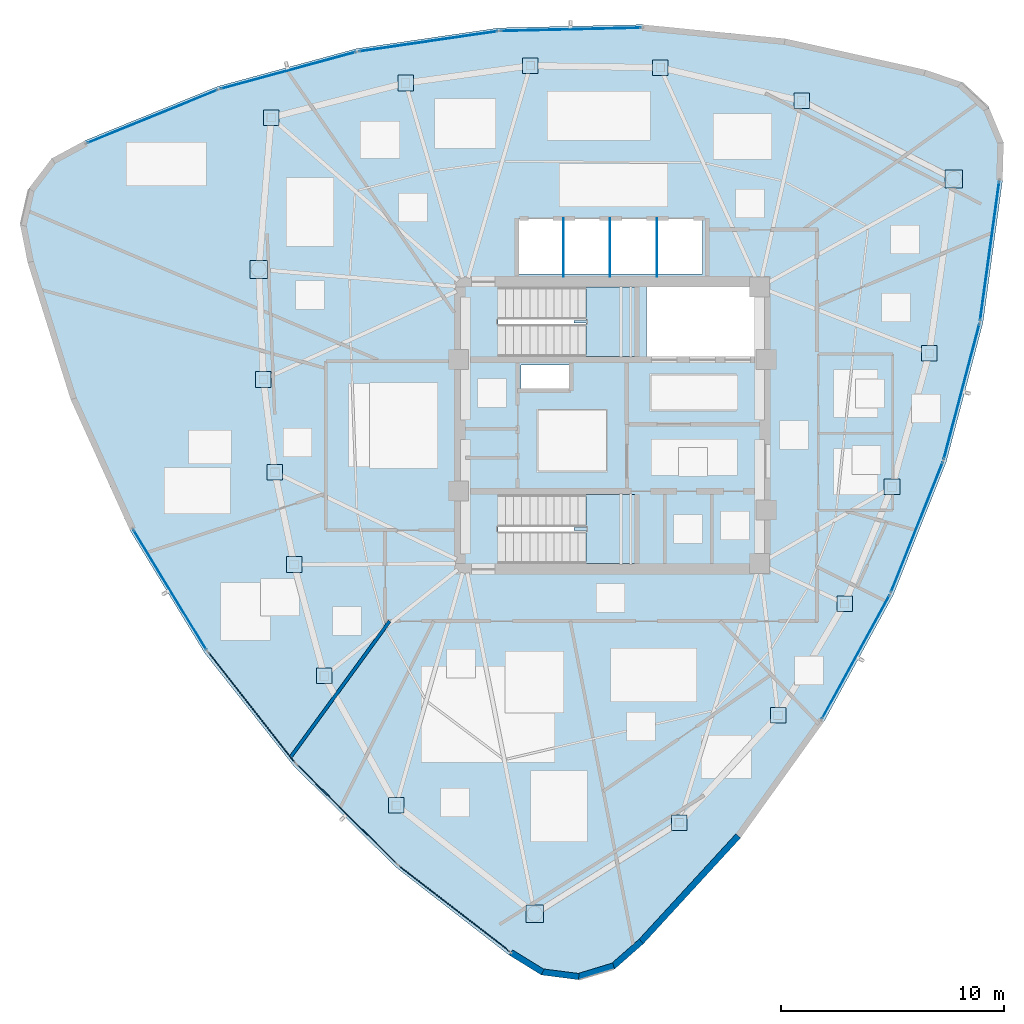
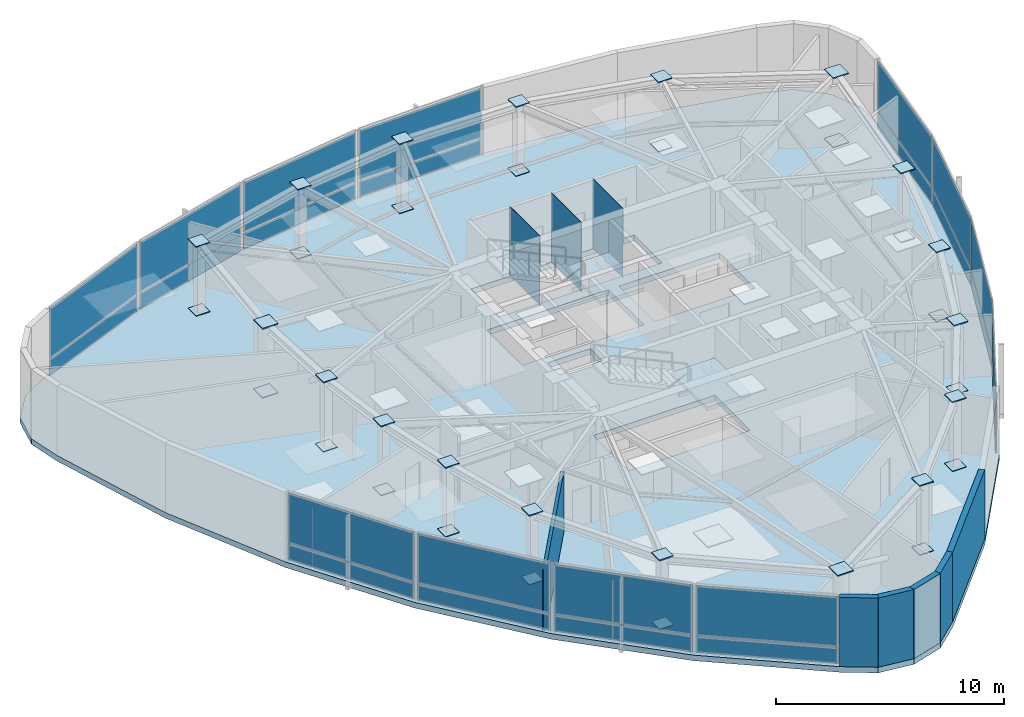
# One storey, part 7 of 12: 63 plates, 6 walls, 3 slabs, 14 elements without a shape of their own.
"""IFC4 building model written with IfcOpenShell, lengths in metres."""

from ifc_helpers import new_model, si_unit, direction, frame, frame_2d, origin, origin_2d, place, context, subcontext, project, spatial, polyline, rectangle, outline, extrude, source, transform, mapped, material, layer, layer_set, type_object, type_shapes, element, aggregate, save


model = new_model("IFC4")

# Units and contexts
model_context = context("Model", 3, precision=1e-05, world=origin(), true_north=direction((0.0, 1.0)))
body_context = subcontext(model_context, "Body", "Model", "MODEL_VIEW")
ifc_project = project(units=[si_unit("LENGTHUNIT", "METRE"), si_unit("AREAUNIT", "SQUARE_METRE"), si_unit("VOLUMEUNIT", "CUBIC_METRE"), si_unit("PLANEANGLEUNIT", "RADIAN"), si_unit("MASSUNIT", "GRAM", prefix="KILO")], contexts=[model_context])

# Site, building, storey
site_placement = place(None, origin())
site = spatial("IfcSite", under=ifc_project, at=site_placement, CompositionType="ELEMENT")
building_placement = place(site_placement, origin())
building = spatial("IfcBuilding", under=site, at=building_placement, Name="Tavelor Broadcast Tower", CompositionType="ELEMENT")
storey_placement = place(building_placement, frame((0.0, 0.0, 317.5)))
storey = spatial("IfcBuildingStorey", under=building, at=storey_placement, Name="L76", CompositionType="ELEMENT", Elevation=317.5)

# Stair, slab
ifc_material_1 = material(Name="Concrete C40/50", Category="concrete")
stair_type = type_object("IfcStairType", Name="Reinforced Concrete Protected Dogleg Stair 1450 mm", PredefinedType="HALF_TURN_STAIR", material=ifc_material_1)
stair_1_placement = place(storey_placement, origin())
stair_1 = element("IfcStair", 1, at=stair_1_placement, inside=storey, type_object=stair_type, Name="L76 Protected Core Exit Stair ST1", PredefinedType="HALF_TURN_STAIR")
ifc_layer_1 = layer(ifc_material_1, 0.199951171875)
ifc_layer_set_1 = layer_set([ifc_layer_1], Name="Concrete C40/50")
slab_type_1 = type_object("IfcSlabType", Name="Reinforced Concrete Stair Half-Landing Slab 200 mm", PredefinedType="LANDING", material=ifc_layer_set_1)
slab_1_placement = place(storey_placement, frame((0.0, 0.0, 1.800048828125)))
slab_1 = element("IfcSlab", 2, at=slab_1_placement, type_object=slab_type_1, Name="ST1 landing 1", PredefinedType="LANDING", context=body_context, shape_type="SweptSolid", body=[
    extrude(outline(polyline([(48.804931640625, 49.590087890625), (48.804931640625, 48.094970703125), (51.0048828125, 48.094970703125), (51.0048828125, 51.205078125), (48.804931640625, 51.205078125), (48.804931640625, 49.7099609375), (48.264892578125, 49.7099609375), (48.264892578125, 49.590087890625), (48.804931640625, 49.590087890625)])), origin(), (0.0, 0.0, 1.0), 0.199951171875),
])
aggregate(stair_1, [slab_1])

stair_2_placement = place(storey_placement, origin())
stair_2 = element("IfcStair", 3, at=stair_2_placement, inside=storey, type_object=stair_type, Name="L76 Protected Core Exit Stair ST2", PredefinedType="HALF_TURN_STAIR")
slab_2_placement = place(storey_placement, frame((0.0, 0.0, 1.800048828125)))
slab_2 = element("IfcSlab", 4, at=slab_2_placement, type_object=slab_type_1, Name="ST2 landing 1", PredefinedType="LANDING", context=body_context, shape_type="SweptSolid", body=[
    extrude(outline(polyline([(48.804931640625, 40.2900390625), (48.804931640625, 38.794921875), (51.0048828125, 38.794921875), (51.0048828125, 41.905029296875), (48.804931640625, 41.905029296875), (48.804931640625, 40.409912109375), (48.264892578125, 40.409912109375), (48.264892578125, 40.2900390625), (48.804931640625, 40.2900390625)])), origin(), (0.0, 0.0, 1.0), 0.199951171875),
])
aggregate(stair_2, [slab_2])

# Slab
ifc_layer_2 = layer(ifc_material_1, 0.300048828125)
ifc_layer_set_2 = layer_set([ifc_layer_2], Name="Concrete C40/50")
slab_type_2 = type_object("IfcSlabType", Name="Tower Composite Floor Slab 300 mm", PredefinedType="FLOOR", material=ifc_layer_set_2)
slab_3_placement = place(storey_placement, frame((0.0, 0.0, -0.300048828125)))
element("IfcSlab", 5, at=slab_3_placement, inside=storey, type_object=slab_type_2, Name="L76 Structural Floor Slab", PredefinedType="FLOOR", context=body_context, shape_type="SweptSolid", body=[
    extrude(outline(polyline([(26.33349609375, 57.778076171875), (24.843017578125, 56.9736328125), (23.815673828125, 55.62744140625), (23.43310546875, 53.9775390625), (23.763671875, 52.31640625), (25.69384765625, 46.165771484375), (28.354248046875, 40.2939453125), (31.705810546875, 34.787109375), (35.698974609375, 29.7265625), (40.275146484375, 25.186279296875), (45.3671875, 21.23291015625), (46.808837890625, 20.34423828125), (48.488525390625, 20.127685546875), (50.108642578125, 20.621337890625), (51.382080078125, 21.738037109375), (55.743408203125, 26.485107421875), (59.498291015625, 31.72509765625), (62.591796875, 37.380859375), (64.977783203125, 43.369384765625), (66.62158203125, 49.6025390625), (67.499267578125, 55.989013671875), (67.548095703125, 57.681884765625), (66.895751953125, 59.2451171875), (65.658203125, 60.401123046875), (64.054443359375, 60.945556640625), (57.7626953125, 62.34912109375), (51.347412109375, 62.981201171875), (44.902587890625, 62.83203125), (38.523193359375, 61.904296875), (32.30322265625, 60.211181640625), (26.33349609375, 57.778076171875)]), holes=[polyline([(50.99609375, 41.89599609375), (50.99609375, 38.803955078125), (44.85400390625, 38.803955078125), (44.85400390625, 41.89599609375), (50.99609375, 41.89599609375)]), polyline([(48.050048828125, 47.699951171875), (48.050048828125, 46.64990234375), (45.89990234375, 46.64990234375), (45.89990234375, 47.699951171875), (48.050048828125, 47.699951171875)]), polyline([(50.99609375, 51.196044921875), (50.99609375, 48.10400390625), (44.85400390625, 48.10400390625), (44.85400390625, 51.196044921875), (50.99609375, 51.196044921875)]), polyline([(56.60009765625, 48.10009765625), (51.52001953125, 48.10009765625), (51.52001953125, 51.199951171875), (56.60009765625, 51.199951171875), (56.60009765625, 48.10009765625)]), polyline([(54.050048828125, 51.800048828125), (45.800048828125, 51.800048828125), (45.800048828125, 54.25), (54.050048828125, 54.25), (54.050048828125, 51.800048828125)])]), origin(), (0.0, 0.0, 1.0), 0.300048828125),
])

# Plates
ifc_material_2 = material(Name="Steel S460", Category="steel")
ifc_layer_3 = layer(ifc_material_2, 0.050048828125)
ifc_layer_set_3 = layer_set([ifc_layer_3], Name="Steel S460")
plate_type_1 = type_object("IfcPlateType", Name="Tube Hollow-End Cap Plate KN05 700x700x50", PredefinedType="USERDEFINED", material=ifc_layer_set_3)
shared_shape_1 = source(origin(), body_context, "Body", "SweptSolid", [
    extrude(rectangle(XDim=0.699951171875, YDim=0.699951171875, at=origin_2d()), origin(), (0.0, 0.0, 1.0), 0.054931640625),
])
for number, where, z_axis, x_axis, name in (
    (6, (34.341552734375, 47.061279296875, -0.02734375), (0.0, 0.0, 1.0), (1.0, 0.0, 0.0), "L76 Hollow End Cap Plate KN05 #2319"),
    (7, (34.341552734375, 47.061279296875, 3.67236328125), (0.0, 0.0, 1.0), (1.0, 0.0, 0.0), "L76 Hollow End Cap Plate KN05 #2320"),
    (8, (34.85400390625, 42.90185546875, -0.02734375), (0.0, 0.0, 1.0), (1.0, 0.0, 0.0), "L76 Hollow End Cap Plate KN05 #2321"),
    (9, (34.85400390625, 42.90185546875, 3.67236328125), (0.0, 0.0, 1.0), (1.0, 0.0, 0.0), "L76 Hollow End Cap Plate KN05 #2322"),
    (10, (35.716552734375, 38.757080078125, -0.02734375), (0.0, 0.0, 1.0), (1.0, 0.0, 0.0), "L76 Hollow End Cap Plate KN05 #2323"),
    (11, (35.716552734375, 38.757080078125, 3.67236328125), (0.0, 0.0, 1.0), (1.0, 0.0, 0.0), "L76 Hollow End Cap Plate KN05 #2324"),
    (12, (37.068115234375, 33.759521484375, -0.02734375), (0.0, 0.0, 1.0), (1.0, 0.0, 0.0), "L76 Hollow End Cap Plate KN05 #2325"),
    (13, (37.068115234375, 33.759521484375, 3.67236328125), (0.0, 0.0, 1.0), (1.0, 0.0, 0.0), "L76 Hollow End Cap Plate KN05 #2326"),
    (14, (40.29638671875, 27.95361328125, -0.02734375), (0.0, 0.0, 1.0), (1.0, 0.0, 0.0), "L76 Hollow End Cap Plate KN05 #2327"),
    (15, (40.29638671875, 27.95361328125, 3.67236328125), (0.0, 0.0, 1.0), (1.0, 0.0, 0.0), "L76 Hollow End Cap Plate KN05 #2328"),
    (16, (52.992919921875, 27.1767578125, -0.02734375), (0.0, 0.0, 1.0), (1.0, 0.0, 0.0), "L76 Hollow End Cap Plate KN05 #2331"),
    (17, (52.992919921875, 27.1767578125, 3.67236328125), (0.0, 0.0, 1.0), (1.0, 0.0, 0.0), "L76 Hollow End Cap Plate KN05 #2332"),
    (18, (57.431396484375, 31.9921875, -0.02734375), (0.0, 0.0, 1.0), (1.0, 0.0, 0.0), "L76 Hollow End Cap Plate KN05 #2333"),
    (19, (57.431396484375, 31.9921875, 3.67236328125), (0.0, 0.0, 1.0), (1.0, 0.0, 0.0), "L76 Hollow End Cap Plate KN05 #2334"),
    (20, (60.41748046875, 37.00439453125, -0.02734375), (0.0, 0.0, 1.0), (1.0, 0.0, 0.0), "L76 Hollow End Cap Plate KN05 #2335"),
    (21, (60.41748046875, 37.00439453125, 3.67236328125), (0.0, 0.0, 1.0), (1.0, 0.0, 0.0), "L76 Hollow End Cap Plate KN05 #2336"),
    (22, (62.543701171875, 42.240478515625, -0.02734375), (0.0, 0.0, 1.0), (1.0, 0.0, 0.0), "L76 Hollow End Cap Plate KN05 #2337"),
    (23, (62.543701171875, 42.240478515625, 3.67236328125), (0.0, 0.0, 1.0), (1.0, 0.0, 0.0), "L76 Hollow End Cap Plate KN05 #2338"),
    (24, (64.21435546875, 48.2373046875, -0.02734375), (0.0, 0.0, 1.0), (1.0, 0.0, 0.0), "L76 Hollow End Cap Plate KN05 #2339"),
    (25, (64.21435546875, 48.2373046875, 3.67236328125), (0.0, 0.0, 1.0), (1.0, 0.0, 0.0), "L76 Hollow End Cap Plate KN05 #2340"),
    (26, (58.485595703125, 59.55712890625, -0.02734375), (0.0, 0.0, 1.0), (1.0, 0.0, 0.0), "L76 Hollow End Cap Plate KN05 #2343"),
    (27, (58.485595703125, 59.55712890625, 3.67236328125), (0.0, 0.0, 1.0), (1.0, 0.0, 0.0), "L76 Hollow End Cap Plate KN05 #2344"),
    (28, (52.147216796875, 61.05078125, -0.02734375), (0.0, 0.0, 1.0), (1.0, 0.0, 0.0), "L76 Hollow End Cap Plate KN05 #2345"),
    (29, (52.147216796875, 61.05078125, 3.67236328125), (0.0, 0.0, 1.0), (1.0, 0.0, 0.0), "L76 Hollow End Cap Plate KN05 #2346"),
    (30, (46.3154296875, 61.13720703125, -0.02734375), (0.0, 0.0, 1.0), (1.0, 0.0, 0.0), "L76 Hollow End Cap Plate KN05 #2347"),
    (31, (46.3154296875, 61.13720703125, 3.67236328125), (0.0, 0.0, 1.0), (1.0, 0.0, 0.0), "L76 Hollow End Cap Plate KN05 #2348"),
    (32, (40.718017578125, 60.36083984375, -0.02734375), (0.0, 0.0, 1.0), (1.0, 0.0, 0.0), "L76 Hollow End Cap Plate KN05 #2349"),
    (33, (40.718017578125, 60.36083984375, 3.67236328125), (0.0, 0.0, 1.0), (1.0, 0.0, 0.0), "L76 Hollow End Cap Plate KN05 #2350"),
    (34, (34.689208984375, 58.80908203125, -0.02734375), (0.0, 0.0, 1.0), (1.0, 0.0, 0.0), "L76 Hollow End Cap Plate KN05 #2351"),
    (35, (34.689208984375, 58.80908203125, 3.67236328125), (0.0, 0.0, 1.0), (1.0, 0.0, 0.0), "L76 Hollow End Cap Plate KN05 #2352"),
):
    element("IfcPlate", number, at=place(storey_placement, frame(where, z_axis=z_axis, x_axis=x_axis)), inside=storey, type_object=plate_type_1, Name=name, ObjectType="CAP PLATE", PredefinedType="USERDEFINED", context=body_context, shape_type="MappedRepresentation", body=[
        mapped(shared_shape_1, transform((0.0, 0.0, 0.0), scale=1.0)),
    ])
shared_shape_2 = source(origin(), body_context, "Body", "SweptSolid", [
    extrude(rectangle(XDim=0.791015625, YDim=0.791015625, at=origin_2d()), origin(), (0.0, 0.0, 1.0), 0.054931640625),
])
type_shapes(plate_type_1, [shared_shape_1, shared_shape_2])
for number, where, z_axis, x_axis, name in (
    (36, (34.134765625, 51.995849609375, -0.02734375), (0.0, 0.0, 1.0), (1.0, 0.0, 0.0), "L76 Hollow End Cap Plate KN05 #2317"),
    (37, (34.134765625, 51.995849609375, 3.67236328125), (0.0, 0.0, 1.0), (1.0, 0.0, 0.0), "L76 Hollow End Cap Plate KN05 #2318"),
    (38, (46.5146484375, 23.08740234375, -0.02734375), (0.0, 0.0, 1.0), (1.0, 0.0, 0.0), "L76 Hollow End Cap Plate KN05 #2329"),
    (39, (46.5146484375, 23.08740234375, 3.67236328125), (0.0, 0.0, 1.0), (1.0, 0.0, 0.0), "L76 Hollow End Cap Plate KN05 #2330"),
    (40, (65.319580078125, 56.0556640625, -0.02734375), (0.0, 0.0, 1.0), (1.0, 0.0, 0.0), "L76 Hollow End Cap Plate KN05 #2341"),
    (41, (65.319580078125, 56.0556640625, 3.67236328125), (0.0, 0.0, 1.0), (1.0, 0.0, 0.0), "L76 Hollow End Cap Plate KN05 #2342"),
):
    element("IfcPlate", number, at=place(storey_placement, frame(where, z_axis=z_axis, x_axis=x_axis)), inside=storey, type_object=plate_type_1, Name=name, ObjectType="CAP PLATE", PredefinedType="USERDEFINED", context=body_context, shape_type="MappedRepresentation", body=[
        mapped(shared_shape_2, transform((0.0, 0.0, 0.0), scale=1.0)),
    ])
ifc_material_3 = material(Name="Steel S355", Category="steel")
ifc_layer_4 = layer(ifc_material_3, 0.011962890625)
ifc_layer_set_4 = layer_set([ifc_layer_4], Name="Steel S355")
plate_type_2 = type_object("IfcPlateType", Name="Hoistway Steel Separator Screen 12 mm", PredefinedType="SHEET", material=ifc_layer_set_4)
shared_shape_3 = source(origin(), body_context, "Body", "SweptSolid", [
    extrude(rectangle(XDim=0.02001953125, YDim=2.6201171875, at=origin_2d()), origin(), (0.0, 0.0, 1.0), 3.699951171875),
])
type_shapes(plate_type_2, [shared_shape_3])
for number, where, z_axis, x_axis, name in (
    (42, (47.800048828125, 52.989990234375, 0.0), (0.0, 0.0, 1.0), (1.0, 0.0, 0.0), "L76 High-Rise Hoistway Separator Screen 1"),
    (43, (49.89990234375, 52.989990234375, 0.0), (0.0, 0.0, 1.0), (1.0, 0.0, 0.0), "L76 High-Rise Hoistway Separator Screen 2"),
    (44, (52.0, 52.989990234375, 0.0), (0.0, 0.0, 1.0), (1.0, 0.0, 0.0), "L76 High-Rise Hoistway Separator Screen 3"),
):
    element("IfcPlate", number, at=place(storey_placement, frame(where, z_axis=z_axis, x_axis=x_axis)), inside=storey, type_object=plate_type_2, Name=name, PredefinedType="SHEET", context=body_context, shape_type="MappedRepresentation", body=[
        mapped(shared_shape_3, transform((0.0, 0.0, 0.0), scale=1.0)),
    ])

# Curtain wall, plate
ifc_material_4 = material(Name="Architectural Anodized Aluminium", Category="aluminium")
ifc_layer_5 = layer(ifc_material_4, 0.199951171875)
ifc_layer_set_5 = layer_set([ifc_layer_5], Name="Architectural Anodized Aluminium")
curtain_wall_type = type_object("IfcCurtainWallType", Name="Tower High-Zone Triple-Glazed Curtain Wall CW04", PredefinedType="NOTDEFINED", material=ifc_layer_set_5)
curtain_wall_1_placement = place(storey_placement, origin())
curtain_wall_1 = element("IfcCurtainWall", 45, at=curtain_wall_1_placement, inside=storey, type_object=curtain_wall_type, Name="L76 Curtain Wall CW04 Run 841", PredefinedType="NOTDEFINED")
ifc_material_5 = material(Name="High-Altitude Triple Glazing 36 mm", Category="glass")
ifc_layer_6 = layer(ifc_material_5, 0.035888671875)
ifc_layer_set_6 = layer_set([ifc_layer_6], Name="High-Altitude Triple Glazing 36 mm")
plate_type_3 = type_object("IfcPlateType", Name="CW04 Insulated Vision Glazing Panel 36 mm", PredefinedType="CURTAIN_PANEL", material=ifc_layer_set_6)
shared_shape_4 = source(origin(), body_context, "Body", "SweptSolid", [
    extrude(rectangle(XDim=6.2744140625, YDim=0.035888671875, at=origin_2d()), origin(), (0.0, 0.0, 1.0), 0.844970703125),
])
plate_1_placement = place(storey_placement, frame((30.145751953125, 37.619873046875, 0.06982421875), z_axis=(0.0, 0.0, 1.0), x_axis=(0.519891553315, -0.854232270985, 0.0)))
plate_1 = element("IfcPlate", 46, at=plate_1_placement, type_object=plate_type_3, Name="CW04 panel 1.1", PredefinedType="CURTAIN_PANEL", context=body_context, shape_type="MappedRepresentation", body=[
    mapped(shared_shape_4, transform((0.0, 0.0, 0.0), scale=1.0)),
])

curtain_wall_2_placement = place(storey_placement, origin())
curtain_wall_2 = element("IfcCurtainWall", 47, at=curtain_wall_2_placement, inside=storey, type_object=curtain_wall_type, Name="L76 Curtain Wall CW04 Run 845", PredefinedType="NOTDEFINED")
plate_2_placement = place(storey_placement, frame((60.918701171875, 34.613525390625, 0.06982421875), z_axis=(0.0, 0.0, 1.0), x_axis=(0.47983596806, 0.877358218606, 0.0)))
plate_2 = element("IfcPlate", 48, at=plate_2_placement, type_object=plate_type_3, Name="CW04 panel 1.1", PredefinedType="CURTAIN_PANEL", context=body_context, shape_type="MappedRepresentation", body=[
    mapped(shared_shape_4, transform((0.0, 0.0, 0.0), scale=1.0)),
])

curtain_wall_3_placement = place(storey_placement, origin())
curtain_wall_3 = element("IfcCurtainWall", 49, at=curtain_wall_3_placement, inside=storey, type_object=curtain_wall_type, Name="L76 Curtain Wall CW04 Run 849", PredefinedType="NOTDEFINED")
plate_3_placement = place(storey_placement, frame((48.1357421875, 62.766845703125, 0.06982421875), z_axis=(0.0, 0.0, 1.0), x_axis=(-0.999732701634, -0.023119802829, 0.0)))
plate_3 = element("IfcPlate", 50, at=plate_3_placement, type_object=plate_type_3, Name="CW04 panel 1.1", PredefinedType="CURTAIN_PANEL", context=body_context, shape_type="MappedRepresentation", body=[
    mapped(shared_shape_4, transform((0.0, 0.0, 0.0), scale=1.0)),
])

# Plate
shared_shape_5 = source(origin(), body_context, "Body", "SweptSolid", [
    extrude(rectangle(XDim=6.2744140625, YDim=0.035888671875, at=origin_2d()), origin(), (0.0, 0.0, 1.0), 2.64501953125),
])
plate_4_placement = place(storey_placement, frame((30.145751953125, 37.619873046875, 0.985107421875), z_axis=(0.0, 0.0, 1.0), x_axis=(0.519891553315, -0.854232270985, 0.0)))
plate_4 = element("IfcPlate", 51, at=plate_4_placement, type_object=plate_type_3, Name="CW04 panel 1.2", PredefinedType="CURTAIN_PANEL", context=body_context, shape_type="MappedRepresentation", body=[
    mapped(shared_shape_5, transform((0.0, 0.0, 0.0), scale=1.0)),
])

aggregate(curtain_wall_1, [plate_1, plate_4])

plate_5_placement = place(storey_placement, frame((60.918701171875, 34.613525390625, 0.985107421875), z_axis=(0.0, 0.0, 1.0), x_axis=(0.47983596806, 0.877358218606, 0.0)))
plate_5 = element("IfcPlate", 52, at=plate_5_placement, type_object=plate_type_3, Name="CW04 panel 1.2", PredefinedType="CURTAIN_PANEL", context=body_context, shape_type="MappedRepresentation", body=[
    mapped(shared_shape_5, transform((0.0, 0.0, 0.0), scale=1.0)),
])

aggregate(curtain_wall_2, [plate_2, plate_5])

plate_6_placement = place(storey_placement, frame((48.1357421875, 62.766845703125, 0.985107421875), z_axis=(0.0, 0.0, 1.0), x_axis=(-0.999732701634, -0.023119802829, 0.0)))
plate_6 = element("IfcPlate", 53, at=plate_6_placement, type_object=plate_type_3, Name="CW04 panel 1.2", PredefinedType="CURTAIN_PANEL", context=body_context, shape_type="MappedRepresentation", body=[
    mapped(shared_shape_5, transform((0.0, 0.0, 0.0), scale=1.0)),
])

aggregate(curtain_wall_3, [plate_3, plate_6])

# Curtain wall, plate
curtain_wall_4_placement = place(storey_placement, origin())
curtain_wall_4 = element("IfcCurtainWall", 54, at=curtain_wall_4_placement, inside=storey, type_object=curtain_wall_type, Name="L76 Curtain Wall CW04 Run 842", PredefinedType="NOTDEFINED")
shared_shape_6 = source(origin(), body_context, "Body", "SweptSolid", [
    extrude(rectangle(XDim=6.25927734375, YDim=0.035888671875, at=origin_2d()), origin(), (0.0, 0.0, 1.0), 0.844970703125),
])
plate_7_placement = place(storey_placement, frame((33.812255859375, 32.343505859375, 0.06982421875), z_axis=(0.0, 0.0, 1.0), x_axis=(0.619436535063, -0.785046736844, 0.0)))
plate_7 = element("IfcPlate", 55, at=plate_7_placement, type_object=plate_type_3, Name="CW04 panel 1.1", PredefinedType="CURTAIN_PANEL", context=body_context, shape_type="MappedRepresentation", body=[
    mapped(shared_shape_6, transform((0.0, 0.0, 0.0), scale=1.0)),
])

curtain_wall_5_placement = place(storey_placement, origin())
curtain_wall_5 = element("IfcCurtainWall", 56, at=curtain_wall_5_placement, inside=storey, type_object=curtain_wall_type, Name="L76 Curtain Wall CW04 Run 843", PredefinedType="NOTDEFINED")
plate_8_placement = place(storey_placement, frame((38.085693359375, 27.5556640625, 0.06982421875), z_axis=(0.0, 0.0, 1.0), x_axis=(0.709882835955, -0.704319784769, 0.0)))
plate_8 = element("IfcPlate", 57, at=plate_8_placement, type_object=plate_type_3, Name="CW04 panel 1.1", PredefinedType="CURTAIN_PANEL", context=body_context, shape_type="MappedRepresentation", body=[
    mapped(shared_shape_6, transform((0.0, 0.0, 0.0), scale=1.0)),
])

curtain_wall_6_placement = place(storey_placement, origin())
curtain_wall_6 = element("IfcCurtainWall", 58, at=curtain_wall_6_placement, inside=storey, type_object=curtain_wall_type, Name="L76 Curtain Wall CW04 Run 846", PredefinedType="NOTDEFINED")
plate_9_placement = place(storey_placement, frame((63.654541015625, 40.427001953125, 0.06982421875), z_axis=(0.0, 0.0, 1.0), x_axis=(0.370148295351, 0.928972679603, 0.0)))
plate_9 = element("IfcPlate", 59, at=plate_9_placement, type_object=plate_type_3, Name="CW04 panel 1.1", PredefinedType="CURTAIN_PANEL", context=body_context, shape_type="MappedRepresentation", body=[
    mapped(shared_shape_6, transform((0.0, 0.0, 0.0), scale=1.0)),
])

# Plate
shared_shape_7 = source(origin(), body_context, "Body", "SweptSolid", [
    extrude(rectangle(XDim=6.25927734375, YDim=0.035888671875, at=origin_2d()), origin(), (0.0, 0.0, 1.0), 2.64501953125),
])
plate_10_placement = place(storey_placement, frame((33.812255859375, 32.343505859375, 0.985107421875), z_axis=(0.0, 0.0, 1.0), x_axis=(0.619436535063, -0.785046736844, 0.0)))
plate_10 = element("IfcPlate", 60, at=plate_10_placement, type_object=plate_type_3, Name="CW04 panel 1.2", PredefinedType="CURTAIN_PANEL", context=body_context, shape_type="MappedRepresentation", body=[
    mapped(shared_shape_7, transform((0.0, 0.0, 0.0), scale=1.0)),
])

aggregate(curtain_wall_4, [plate_7, plate_10])

plate_11_placement = place(storey_placement, frame((38.085693359375, 27.5556640625, 0.985107421875), z_axis=(0.0, 0.0, 1.0), x_axis=(0.709882835955, -0.704319784769, 0.0)))
plate_11 = element("IfcPlate", 61, at=plate_11_placement, type_object=plate_type_3, Name="CW04 panel 1.2", PredefinedType="CURTAIN_PANEL", context=body_context, shape_type="MappedRepresentation", body=[
    mapped(shared_shape_7, transform((0.0, 0.0, 0.0), scale=1.0)),
])

aggregate(curtain_wall_5, [plate_8, plate_11])

plate_12_placement = place(storey_placement, frame((63.654541015625, 40.427001953125, 0.985107421875), z_axis=(0.0, 0.0, 1.0), x_axis=(0.370148295351, 0.928972679603, 0.0)))
plate_12 = element("IfcPlate", 62, at=plate_12_placement, type_object=plate_type_3, Name="CW04 panel 1.2", PredefinedType="CURTAIN_PANEL", context=body_context, shape_type="MappedRepresentation", body=[
    mapped(shared_shape_7, transform((0.0, 0.0, 0.0), scale=1.0)),
])

aggregate(curtain_wall_6, [plate_9, plate_12])

# Curtain wall, plate
curtain_wall_7_placement = place(storey_placement, origin())
curtain_wall_7 = element("IfcCurtainWall", 63, at=curtain_wall_7_placement, inside=storey, type_object=curtain_wall_type, Name="L76 Curtain Wall CW04 Run 844", PredefinedType="NOTDEFINED")
shared_shape_8 = source(origin(), body_context, "Body", "SweptSolid", [
    extrude(rectangle(XDim=6.275390625, YDim=0.035888671875, at=origin_2d()), origin(), (0.0, 0.0, 1.0), 0.844970703125),
])
plate_13_placement = place(storey_placement, frame((42.913330078125, 23.315185546875, 0.06982421875), z_axis=(0.0, 0.0, 1.0), x_axis=(0.789900813816, -0.613234624213, 0.0)))
plate_13 = element("IfcPlate", 64, at=plate_13_placement, type_object=plate_type_3, Name="CW04 panel 1.1", PredefinedType="CURTAIN_PANEL", context=body_context, shape_type="MappedRepresentation", body=[
    mapped(shared_shape_8, transform((0.0, 0.0, 0.0), scale=1.0)),
])

curtain_wall_8_placement = place(storey_placement, origin())
curtain_wall_8 = element("IfcCurtainWall", 65, at=curtain_wall_8_placement, inside=storey, type_object=curtain_wall_type, Name="L76 Curtain Wall CW04 Run 848", PredefinedType="NOTDEFINED")
plate_14_placement = place(storey_placement, frame((66.9228515625, 52.82275390625, 0.06982421875), z_axis=(0.0, 0.0, 1.0), x_axis=(0.136140510537, 0.990689538347, 0.0)))
plate_14 = element("IfcPlate", 66, at=plate_14_placement, type_object=plate_type_3, Name="CW04 panel 1.1", PredefinedType="CURTAIN_PANEL", context=body_context, shape_type="MappedRepresentation", body=[
    mapped(shared_shape_8, transform((0.0, 0.0, 0.0), scale=1.0)),
])

curtain_wall_9_placement = place(storey_placement, origin())
curtain_wall_9 = element("IfcCurtainWall", 67, at=curtain_wall_9_placement, inside=storey, type_object=curtain_wall_type, Name="L76 Curtain Wall CW04 Run 852", PredefinedType="NOTDEFINED")
plate_15_placement = place(storey_placement, frame((29.36376953125, 58.862060546875, 0.06982421875), z_axis=(0.0, 0.0, 1.0), x_axis=(-0.926030621353, -0.377448391594, 0.0)))
plate_15 = element("IfcPlate", 68, at=plate_15_placement, type_object=plate_type_3, Name="CW04 panel 1.1", PredefinedType="CURTAIN_PANEL", context=body_context, shape_type="MappedRepresentation", body=[
    mapped(shared_shape_8, transform((0.0, 0.0, 0.0), scale=1.0)),
])

# Plate
shared_shape_9 = source(origin(), body_context, "Body", "SweptSolid", [
    extrude(rectangle(XDim=6.275390625, YDim=0.035888671875, at=origin_2d()), origin(), (0.0, 0.0, 1.0), 2.64501953125),
])
plate_16_placement = place(storey_placement, frame((42.913330078125, 23.315185546875, 0.985107421875), z_axis=(0.0, 0.0, 1.0), x_axis=(0.789900813816, -0.613234624213, 0.0)))
plate_16 = element("IfcPlate", 69, at=plate_16_placement, type_object=plate_type_3, Name="CW04 panel 1.2", PredefinedType="CURTAIN_PANEL", context=body_context, shape_type="MappedRepresentation", body=[
    mapped(shared_shape_9, transform((0.0, 0.0, 0.0), scale=1.0)),
])

aggregate(curtain_wall_7, [plate_13, plate_16])

plate_17_placement = place(storey_placement, frame((66.9228515625, 52.82275390625, 0.985107421875), z_axis=(0.0, 0.0, 1.0), x_axis=(0.136140510537, 0.990689538347, 0.0)))
plate_17 = element("IfcPlate", 70, at=plate_17_placement, type_object=plate_type_3, Name="CW04 panel 1.2", PredefinedType="CURTAIN_PANEL", context=body_context, shape_type="MappedRepresentation", body=[
    mapped(shared_shape_9, transform((0.0, 0.0, 0.0), scale=1.0)),
])

aggregate(curtain_wall_8, [plate_14, plate_17])

plate_18_placement = place(storey_placement, frame((29.36376953125, 58.862060546875, 0.985107421875), z_axis=(0.0, 0.0, 1.0), x_axis=(-0.926030621353, -0.377448391594, 0.0)))
plate_18 = element("IfcPlate", 71, at=plate_18_placement, type_object=plate_type_3, Name="CW04 panel 1.2", PredefinedType="CURTAIN_PANEL", context=body_context, shape_type="MappedRepresentation", body=[
    mapped(shared_shape_9, transform((0.0, 0.0, 0.0), scale=1.0)),
])

aggregate(curtain_wall_9, [plate_15, plate_18])

# Curtain wall, plate
curtain_wall_10_placement = place(storey_placement, origin())
curtain_wall_10 = element("IfcCurtainWall", 72, at=curtain_wall_10_placement, inside=storey, type_object=curtain_wall_type, Name="L76 Curtain Wall CW04 Run 847", PredefinedType="NOTDEFINED")
shared_shape_10 = source(origin(), body_context, "Body", "SweptSolid", [
    extrude(rectangle(XDim=6.259521484375, YDim=0.035888671875, at=origin_2d()), origin(), (0.0, 0.0, 1.0), 0.844970703125),
])
plate_19_placement = place(storey_placement, frame((65.664306640625, 46.521728515625, 0.06982421875), z_axis=(0.0, 0.0, 1.0), x_axis=(0.255005530818, 0.966939594417, 0.0)))
plate_19 = element("IfcPlate", 73, at=plate_19_placement, type_object=plate_type_3, Name="CW04 panel 1.1", PredefinedType="CURTAIN_PANEL", context=body_context, shape_type="MappedRepresentation", body=[
    mapped(shared_shape_10, transform((0.0, 0.0, 0.0), scale=1.0)),
])

curtain_wall_11_placement = place(storey_placement, origin())
curtain_wall_11 = element("IfcCurtainWall", 74, at=curtain_wall_11_placement, inside=storey, type_object=curtain_wall_type, Name="L76 Curtain Wall CW04 Run 850", PredefinedType="NOTDEFINED")
plate_20_placement = place(storey_placement, frame((41.733154296875, 62.2294921875, 0.06982421875), z_axis=(0.0, 0.0, 1.0), x_axis=(-0.989587208195, -0.143934559358, 0.0)))
plate_20 = element("IfcPlate", 75, at=plate_20_placement, type_object=plate_type_3, Name="CW04 panel 1.1", PredefinedType="CURTAIN_PANEL", context=body_context, shape_type="MappedRepresentation", body=[
    mapped(shared_shape_10, transform((0.0, 0.0, 0.0), scale=1.0)),
])

curtain_wall_12_placement = place(storey_placement, origin())
curtain_wall_12 = element("IfcCurtainWall", 76, at=curtain_wall_12_placement, inside=storey, type_object=curtain_wall_type, Name="L76 Curtain Wall CW04 Run 851", PredefinedType="NOTDEFINED")
plate_21_placement = place(storey_placement, frame((35.449951171875, 60.922607421875, 0.06982421875), z_axis=(0.0, 0.0, 1.0), x_axis=(-0.964900002212, -0.262617565541, 0.0)))
plate_21 = element("IfcPlate", 77, at=plate_21_placement, type_object=plate_type_3, Name="CW04 panel 1.1", PredefinedType="CURTAIN_PANEL", context=body_context, shape_type="MappedRepresentation", body=[
    mapped(shared_shape_10, transform((0.0, 0.0, 0.0), scale=1.0)),
])

# Plate
shared_shape_11 = source(origin(), body_context, "Body", "SweptSolid", [
    extrude(rectangle(XDim=6.259521484375, YDim=0.035888671875, at=origin_2d()), origin(), (0.0, 0.0, 1.0), 2.64501953125),
])
type_shapes(plate_type_3, [shared_shape_4, shared_shape_5, shared_shape_6, shared_shape_7, shared_shape_8, shared_shape_9, shared_shape_10, shared_shape_11])
plate_22_placement = place(storey_placement, frame((65.664306640625, 46.521728515625, 0.985107421875), z_axis=(0.0, 0.0, 1.0), x_axis=(0.255005530818, 0.966939594417, 0.0)))
plate_22 = element("IfcPlate", 78, at=plate_22_placement, type_object=plate_type_3, Name="CW04 panel 1.2", PredefinedType="CURTAIN_PANEL", context=body_context, shape_type="MappedRepresentation", body=[
    mapped(shared_shape_11, transform((0.0, 0.0, 0.0), scale=1.0)),
])

aggregate(curtain_wall_10, [plate_19, plate_22])

plate_23_placement = place(storey_placement, frame((41.733154296875, 62.2294921875, 0.985107421875), z_axis=(0.0, 0.0, 1.0), x_axis=(-0.989587208195, -0.143934559358, 0.0)))
plate_23 = element("IfcPlate", 79, at=plate_23_placement, type_object=plate_type_3, Name="CW04 panel 1.2", PredefinedType="CURTAIN_PANEL", context=body_context, shape_type="MappedRepresentation", body=[
    mapped(shared_shape_11, transform((0.0, 0.0, 0.0), scale=1.0)),
])

aggregate(curtain_wall_11, [plate_20, plate_23])

plate_24_placement = place(storey_placement, frame((35.449951171875, 60.922607421875, 0.985107421875), z_axis=(0.0, 0.0, 1.0), x_axis=(-0.964900002212, -0.262617565541, 0.0)))
plate_24 = element("IfcPlate", 80, at=plate_24_placement, type_object=plate_type_3, Name="CW04 panel 1.2", PredefinedType="CURTAIN_PANEL", context=body_context, shape_type="MappedRepresentation", body=[
    mapped(shared_shape_11, transform((0.0, 0.0, 0.0), scale=1.0)),
])

aggregate(curtain_wall_12, [plate_21, plate_24])

# Walls
ifc_material_6 = material(Name="Precast Concrete C40/50", Category="concrete")
ifc_layer_7 = layer(ifc_material_6, 0.280029296875)
ifc_layer_set_7 = layer_set([ifc_layer_7], Name="Precast Concrete C40/50")
wall_type_1 = type_object("IfcWallType", Name="Insulated Precast Terracotta Facade Wall 280 mm", PredefinedType="STANDARD", material=ifc_layer_set_7)
wall_1_placement = place(storey_placement, frame((45.443603515625, 21.350341796875, 0.0), z_axis=(0.0, 0.0, 1.0), x_axis=(0.8512576883, -0.524747890048, 0.0)))
element("IfcWall", 81, at=wall_1_placement, inside=storey, type_object=wall_type_1, Name="L76 Rounded Corner Structural Cladding Pier 11", PredefinedType="STANDARD", context=body_context, shape_type="SweptSolid", body=[
    extrude(rectangle(XDim=1.6748046875, YDim=0.280029296875, at=frame_2d((0.83740234375, 0.0))), origin(), (0.0, 0.0, 1.0), 3.699951171875),
])
wall_2_placement = place(storey_placement, frame((46.841796875, 20.481201171875, 0.0), z_axis=(0.0, 0.0, 1.0), x_axis=(0.991775462734, -0.12798996648, 0.0)))
element("IfcWall", 82, at=wall_2_placement, inside=storey, type_object=wall_type_1, Name="L76 Rounded Corner Structural Cladding Pier 12", PredefinedType="STANDARD", context=body_context, shape_type="SweptSolid", body=[
    extrude(rectangle(XDim=1.663330078125, YDim=0.280029296875, at=frame_2d((0.83154296875, 0.0))), origin(), (0.0, 0.0, 1.0), 3.699951171875),
])
wall_3_placement = place(storey_placement, frame((48.46240234375, 20.265869140625, 0.0), z_axis=(0.0, 0.0, 1.0), x_axis=(0.956515515613, 0.291681450203, 0.0)))
element("IfcWall", 83, at=wall_3_placement, inside=storey, type_object=wall_type_1, Name="L76 Rounded Corner Structural Cladding Pier 13", PredefinedType="STANDARD", context=body_context, shape_type="SweptSolid", body=[
    extrude(rectangle(XDim=1.6630859375, YDim=0.280029296875, at=frame_2d((0.83154296875, 0.0))), origin(), (0.0, 0.0, 1.0), 3.699951171875),
])
wall_4_placement = place(storey_placement, frame((50.027587890625, 20.736572265625, 0.0), z_axis=(0.0, 0.0, 1.0), x_axis=(0.751849767275, 0.659334457957, 0.0)))
element("IfcWall", 84, at=wall_4_placement, inside=storey, type_object=wall_type_1, Name="L76 Rounded Corner Structural Cladding Pier 14", PredefinedType="STANDARD", context=body_context, shape_type="SweptSolid", body=[
    extrude(rectangle(XDim=1.686279296875, YDim=0.280029296875, at=frame_2d((0.84326171875, 0.0))), origin(), (0.0, 0.0, 1.0), 3.699951171875),
])
wall_5_placement = place(storey_placement, frame((51.27392578125, 21.827392578125, 0.0), z_axis=(0.0, 0.0, 1.0), x_axis=(0.676562711874, 0.736385019471, 0.0)))
element("IfcWall", 85, at=wall_5_placement, inside=storey, type_object=wall_type_1, Name="L76 Rounded Corner Structural Cladding Pier 15", PredefinedType="STANDARD", context=body_context, shape_type="SweptSolid", body=[
    extrude(rectangle(XDim=6.46044921875, YDim=0.280029296875, at=frame_2d((3.230224609375, 0.0))), origin(), (0.0, 0.0, 1.0), 3.699951171875),
])
ifc_material_7 = material(Name="Gypsum Acoustic Plasterboard 150 mm", Category="gypsum")
ifc_layer_8 = layer(ifc_material_7, 0.14990234375)
ifc_layer_set_8 = layer_set([ifc_layer_8], Name="Gypsum Acoustic Plasterboard 150 mm")
wall_type_2 = type_object("IfcWallType", Name="Interior Acoustic Partition Wall 150 mm", PredefinedType="PARTITIONING", material=ifc_layer_set_8)
wall_6_placement = place(storey_placement, frame((40.0048828125, 36.219970703125, 0.0), z_axis=(0.0, 0.0, 1.0), x_axis=(-0.588759674549, -0.808308137794, 0.0)))
element("IfcWall", 86, at=wall_6_placement, inside=storey, type_object=wall_type_2, Name="L76 Radial Compartment Wall 11", PredefinedType="PARTITIONING", context=body_context, shape_type="SweptSolid", body=[
    extrude(rectangle(XDim=7.552734375, YDim=0.14990234375, at=frame_2d((3.7763671875, 0.0))), origin(), (0.0, 0.0, 1.0), 3.22509765625),
])

save(model, "model.ifc")
